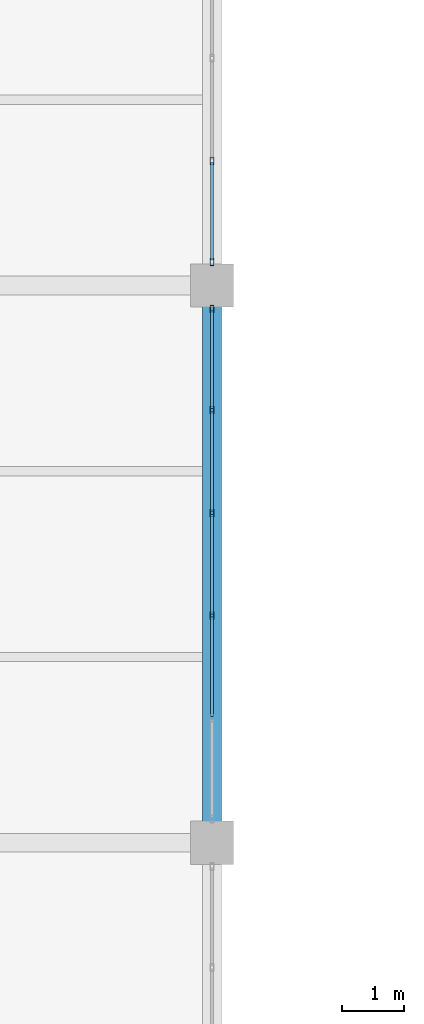
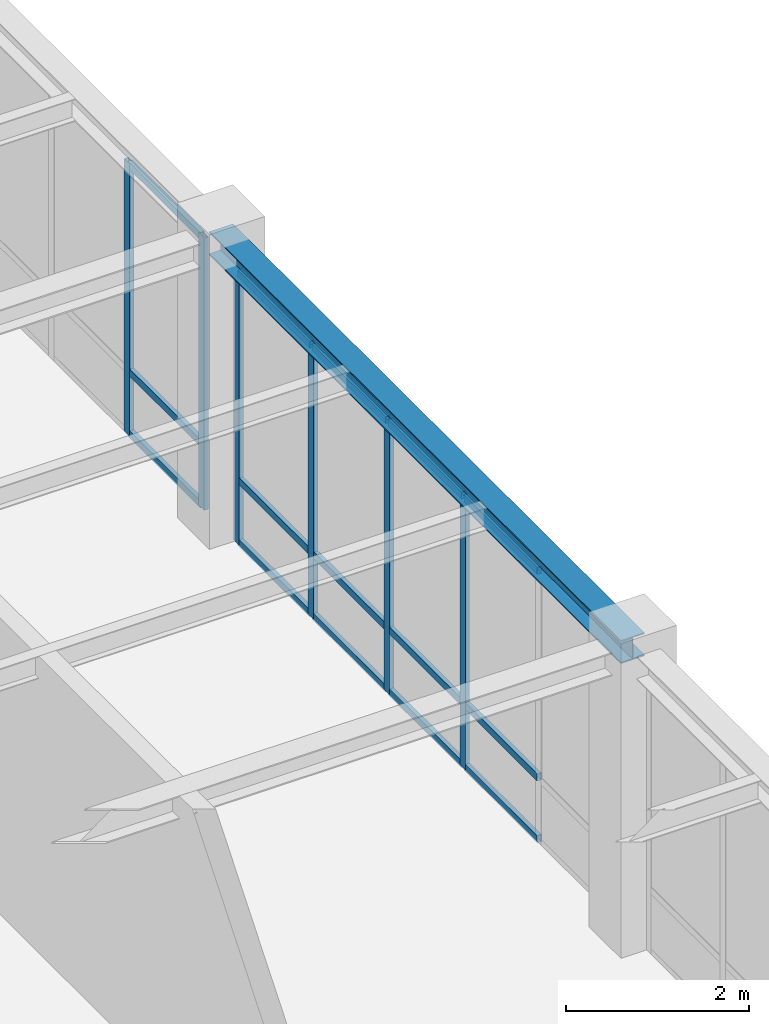
# One storey, part 60 of 108: 21 members, 1 beam, 2 elements without a shape of their own.
"""IFC4 building model written with IfcOpenShell, lengths in metres."""

from ifc_helpers import new_model, si_unit, direction, frame, origin, origin_2d, place, context, subcontext, project, spatial, hollow_rectangle, i_section, extrude, material, material_profile, profile_set, type_object, element, aggregate, save


model = new_model("IFC4")

# Units and contexts
model_context = context("Model", 3, precision=1e-05, world=origin(), true_north=direction((0.0, 1.0)))
body_context = subcontext(model_context, "Body", "Model", "MODEL_VIEW")
ifc_project = project(units=[si_unit("LENGTHUNIT", "METRE"), si_unit("AREAUNIT", "SQUARE_METRE"), si_unit("VOLUMEUNIT", "CUBIC_METRE"), si_unit("PLANEANGLEUNIT", "RADIAN"), si_unit("MASSUNIT", "GRAM", prefix="KILO")], contexts=[model_context])

# Site, building, storey
site_placement = place(None, origin())
site = spatial("IfcSite", under=ifc_project, at=site_placement, CompositionType="ELEMENT")
building_placement = place(site_placement, origin())
building = spatial("IfcBuilding", under=site, at=building_placement, Name="Lykobir Media Centre", CompositionType="ELEMENT")
storey_placement = place(building_placement, frame((0.0, 0.0, 15.0)))
storey = spatial("IfcBuildingStorey", under=building, at=storey_placement, Name="L03", CompositionType="ELEMENT", Elevation=15.0)

# Beam
ifc_material_1 = material(Name="Steel S355", Category="steel")
ifc_material_profile_1 = material_profile(ifc_material_1, i_section(OverallWidth=0.300048828125, OverallDepth=0.31005859375, WebThickness=0.009033203125, FlangeThickness=0.015380859375, at=origin_2d()), Name="HEA 320")
ifc_profile_set_1 = profile_set([ifc_material_profile_1], Name="Steel S355")
beam_type = type_object("IfcBeamType", Name="BM-HEA320", PredefinedType="BEAM", material=ifc_profile_set_1)
beam_placement = place(storey_placement, frame((99.0, 45.0, 3.804931640625), z_axis=(0.0, 1.0, 0.0), x_axis=(-1.0, 0.0, 0.0)))
element("IfcBeam", 1, at=beam_placement, inside=storey, type_object=beam_type, Name="Beam BM-L03-0990-0450-0990-0540-1880", PredefinedType="BEAM", context=body_context, shape_type="SweptSolid", body=[
    extrude(i_section(OverallWidth=0.300048828125, OverallDepth=0.31005859375, WebThickness=0.009033203125, FlangeThickness=0.015380859375, at=origin_2d()), origin(), (0.0, 0.0, 1.0), 9.0),
])

# Curtain wall, members
ifc_material_2 = material(Name="Anodized Aluminium AW-6060", Category="aluminium")
curtain_wall_type = type_object("IfcCurtainWallType", Name="CW-COURT-B", PredefinedType="NOTDEFINED", material=ifc_material_2)
curtain_wall_1_placement = place(storey_placement, origin())
curtain_wall_1 = element("IfcCurtainWall", 2, at=curtain_wall_1_placement, inside=storey, type_object=curtain_wall_type, Name="Curtain wall CW2-L03-0143", PredefinedType="NOTDEFINED")
ifc_material_profile_2 = material_profile(ifc_material_2, hollow_rectangle(XDim=0.054931640625, YDim=0.1201171875, WallThickness=0.003173828125, at=origin_2d()), Name="ALU MULLION 55x120")
ifc_profile_set_2 = profile_set([ifc_material_profile_2], Name="Anodized Aluminium AW-6060")
member_type_1 = type_object("IfcMemberType", Name="CWM-120", PredefinedType="MULLION", material=ifc_profile_set_2)
member_1_placement = place(storey_placement, frame((99.0, 53.617431640625, 0.0), z_axis=(0.0, 0.0, 1.0), x_axis=(1.0, 0.0, 0.0)))
member_1 = element("IfcMember", 3, at=member_1_placement, type_object=member_type_1, Name="CW2-L03-0143 mullion 1", PredefinedType="MULLION", context=body_context, shape_type="SweptSolid", body=[
    extrude(hollow_rectangle(XDim=0.054931640625, YDim=0.1201171875, WallThickness=0.003173828125, at=origin_2d()), origin(), (0.0, 0.0, 1.0), 3.635009765625),
])
member_2_placement = place(storey_placement, frame((99.0, 51.987060546875, 0.0), z_axis=(0.0, 0.0, 1.0), x_axis=(1.0, 0.0, 0.0)))
member_2 = element("IfcMember", 4, at=member_2_placement, type_object=member_type_1, Name="CW2-L03-0143 mullion 2", PredefinedType="MULLION", context=body_context, shape_type="SweptSolid", body=[
    extrude(hollow_rectangle(XDim=0.054931640625, YDim=0.1201171875, WallThickness=0.003173828125, at=origin_2d()), origin(), (0.0, 0.0, 1.0), 3.635009765625),
])
member_3_placement = place(storey_placement, frame((99.0, 50.3291015625, 0.0), z_axis=(0.0, 0.0, 1.0), x_axis=(1.0, 0.0, 0.0)))
member_3 = element("IfcMember", 5, at=member_3_placement, type_object=member_type_1, Name="CW2-L03-0143 mullion 3", PredefinedType="MULLION", context=body_context, shape_type="SweptSolid", body=[
    extrude(hollow_rectangle(XDim=0.054931640625, YDim=0.1201171875, WallThickness=0.003173828125, at=origin_2d()), origin(), (0.0, 0.0, 1.0), 3.635009765625),
])
member_4_placement = place(storey_placement, frame((99.0, 48.6708984375, 0.0), z_axis=(0.0, 0.0, 1.0), x_axis=(1.0, 0.0, 0.0)))
member_4 = element("IfcMember", 6, at=member_4_placement, type_object=member_type_1, Name="CW2-L03-0143 mullion 4", PredefinedType="MULLION", context=body_context, shape_type="SweptSolid", body=[
    extrude(hollow_rectangle(XDim=0.054931640625, YDim=0.1201171875, WallThickness=0.003173828125, at=origin_2d()), origin(), (0.0, 0.0, 1.0), 3.635009765625),
])

curtain_wall_2_placement = place(storey_placement, origin())
curtain_wall_2 = element("IfcCurtainWall", 7, at=curtain_wall_2_placement, inside=storey, type_object=curtain_wall_type, Name="Curtain wall CW2-L03-0144", PredefinedType="NOTDEFINED")
member_5_placement = place(storey_placement, frame((99.0, 56.012939453125, 0.0), z_axis=(0.0, 0.0, 1.0), x_axis=(1.0, 0.0, 0.0)))
member_5 = element("IfcMember", 8, at=member_5_placement, type_object=member_type_1, Name="CW2-L03-0144 mullion 5", PredefinedType="MULLION", context=body_context, shape_type="SweptSolid", body=[
    extrude(hollow_rectangle(XDim=0.054931640625, YDim=0.1201171875, WallThickness=0.003173828125, at=origin_2d()), origin(), (0.0, 0.0, 1.0), 3.635009765625),
])
member_6_placement = place(storey_placement, frame((99.0, 54.382568359375, 0.0), z_axis=(0.0, 0.0, 1.0), x_axis=(1.0, 0.0, 0.0)))
member_6 = element("IfcMember", 9, at=member_6_placement, type_object=member_type_1, Name="CW2-L03-0144 mullion 6", PredefinedType="MULLION", context=body_context, shape_type="SweptSolid", body=[
    extrude(hollow_rectangle(XDim=0.054931640625, YDim=0.1201171875, WallThickness=0.003173828125, at=origin_2d()), origin(), (0.0, 0.0, 1.0), 3.635009765625),
])

# Member
ifc_material_profile_3 = material_profile(ifc_material_2, hollow_rectangle(XDim=0.054931640625, YDim=0.094970703125, WallThickness=0.0029296875, at=origin_2d()), Name="ALU TRANSOM 55x95")
ifc_profile_set_3 = profile_set([ifc_material_profile_3], Name="Anodized Aluminium AW-6060")
member_type_2 = type_object("IfcMemberType", Name="CWT-095", PredefinedType="USERDEFINED", material=ifc_profile_set_3)
member_7_placement = place(storey_placement, frame((99.0, 53.590087890625, 0.027587890625), z_axis=(0.0, -1.0, 0.0), x_axis=(1.0, 0.0, 0.0)))
member_7 = element("IfcMember", 10, at=member_7_placement, type_object=member_type_2, Name="CW2-L03-0143 transom 1.1", ObjectType="TRANSOM", PredefinedType="USERDEFINED", context=body_context, shape_type="SweptSolid", body=[
    extrude(hollow_rectangle(XDim=0.054931640625, YDim=0.094970703125, WallThickness=0.0029296875, at=origin_2d()), origin(), (0.0, 0.0, 1.0), 1.57568359375),
])

member_8_placement = place(storey_placement, frame((99.0, 53.590087890625, 0.85009765625), z_axis=(0.0, -1.0, 0.0), x_axis=(1.0, 0.0, 0.0)))
member_8 = element("IfcMember", 11, at=member_8_placement, type_object=member_type_2, Name="CW2-L03-0143 transom 1.2", ObjectType="TRANSOM", PredefinedType="USERDEFINED", context=body_context, shape_type="SweptSolid", body=[
    extrude(hollow_rectangle(XDim=0.054931640625, YDim=0.094970703125, WallThickness=0.0029296875, at=origin_2d()), origin(), (0.0, 0.0, 1.0), 1.57568359375),
])

member_9_placement = place(storey_placement, frame((99.0, 53.590087890625, 3.607421875), z_axis=(0.0, -1.0, 0.0), x_axis=(1.0, 0.0, 0.0)))
member_9 = element("IfcMember", 12, at=member_9_placement, type_object=member_type_2, Name="CW2-L03-0143 transom 1.3", ObjectType="TRANSOM", PredefinedType="USERDEFINED", context=body_context, shape_type="SweptSolid", body=[
    extrude(hollow_rectangle(XDim=0.054931640625, YDim=0.094970703125, WallThickness=0.0029296875, at=origin_2d()), origin(), (0.0, 0.0, 1.0), 1.57568359375),
])

member_10_placement = place(storey_placement, frame((99.0, 51.95947265625, 0.027587890625), z_axis=(0.0, -1.0, 0.0), x_axis=(1.0, 0.0, 0.0)))
member_10 = element("IfcMember", 13, at=member_10_placement, type_object=member_type_2, Name="CW2-L03-0143 transom 2.1", ObjectType="TRANSOM", PredefinedType="USERDEFINED", context=body_context, shape_type="SweptSolid", body=[
    extrude(hollow_rectangle(XDim=0.054931640625, YDim=0.094970703125, WallThickness=0.0029296875, at=origin_2d()), origin(), (0.0, 0.0, 1.0), 1.60302734375),
])

member_11_placement = place(storey_placement, frame((99.0, 51.95947265625, 0.85009765625), z_axis=(0.0, -1.0, 0.0), x_axis=(1.0, 0.0, 0.0)))
member_11 = element("IfcMember", 14, at=member_11_placement, type_object=member_type_2, Name="CW2-L03-0143 transom 2.2", ObjectType="TRANSOM", PredefinedType="USERDEFINED", context=body_context, shape_type="SweptSolid", body=[
    extrude(hollow_rectangle(XDim=0.054931640625, YDim=0.094970703125, WallThickness=0.0029296875, at=origin_2d()), origin(), (0.0, 0.0, 1.0), 1.60302734375),
])

member_12_placement = place(storey_placement, frame((99.0, 51.95947265625, 3.607421875), z_axis=(0.0, -1.0, 0.0), x_axis=(1.0, 0.0, 0.0)))
member_12 = element("IfcMember", 15, at=member_12_placement, type_object=member_type_2, Name="CW2-L03-0143 transom 2.3", ObjectType="TRANSOM", PredefinedType="USERDEFINED", context=body_context, shape_type="SweptSolid", body=[
    extrude(hollow_rectangle(XDim=0.054931640625, YDim=0.094970703125, WallThickness=0.0029296875, at=origin_2d()), origin(), (0.0, 0.0, 1.0), 1.60302734375),
])

member_13_placement = place(storey_placement, frame((99.0, 50.301513671875, 0.027587890625), z_axis=(0.0, -1.0, 0.0), x_axis=(1.0, 0.0, 0.0)))
member_13 = element("IfcMember", 16, at=member_13_placement, type_object=member_type_2, Name="CW2-L03-0143 transom 3.1", ObjectType="TRANSOM", PredefinedType="USERDEFINED", context=body_context, shape_type="SweptSolid", body=[
    extrude(hollow_rectangle(XDim=0.054931640625, YDim=0.094970703125, WallThickness=0.0029296875, at=origin_2d()), origin(), (0.0, 0.0, 1.0), 1.60302734375),
])

member_14_placement = place(storey_placement, frame((99.0, 50.301513671875, 0.85009765625), z_axis=(0.0, -1.0, 0.0), x_axis=(1.0, 0.0, 0.0)))
member_14 = element("IfcMember", 17, at=member_14_placement, type_object=member_type_2, Name="CW2-L03-0143 transom 3.2", ObjectType="TRANSOM", PredefinedType="USERDEFINED", context=body_context, shape_type="SweptSolid", body=[
    extrude(hollow_rectangle(XDim=0.054931640625, YDim=0.094970703125, WallThickness=0.0029296875, at=origin_2d()), origin(), (0.0, 0.0, 1.0), 1.60302734375),
])

member_15_placement = place(storey_placement, frame((99.0, 50.301513671875, 3.607421875), z_axis=(0.0, -1.0, 0.0), x_axis=(1.0, 0.0, 0.0)))
member_15 = element("IfcMember", 18, at=member_15_placement, type_object=member_type_2, Name="CW2-L03-0143 transom 3.3", ObjectType="TRANSOM", PredefinedType="USERDEFINED", context=body_context, shape_type="SweptSolid", body=[
    extrude(hollow_rectangle(XDim=0.054931640625, YDim=0.094970703125, WallThickness=0.0029296875, at=origin_2d()), origin(), (0.0, 0.0, 1.0), 1.60302734375),
])

member_16_placement = place(storey_placement, frame((99.0, 48.6435546875, 0.027587890625), z_axis=(0.0, -1.0, 0.0), x_axis=(1.0, 0.0, 0.0)))
member_16 = element("IfcMember", 19, at=member_16_placement, type_object=member_type_2, Name="CW2-L03-0143 transom 4.1", ObjectType="TRANSOM", PredefinedType="USERDEFINED", context=body_context, shape_type="SweptSolid", body=[
    extrude(hollow_rectangle(XDim=0.054931640625, YDim=0.094970703125, WallThickness=0.0029296875, at=origin_2d()), origin(), (0.0, 0.0, 1.0), 1.60302734375),
])

member_17_placement = place(storey_placement, frame((99.0, 48.6435546875, 0.85009765625), z_axis=(0.0, -1.0, 0.0), x_axis=(1.0, 0.0, 0.0)))
member_17 = element("IfcMember", 20, at=member_17_placement, type_object=member_type_2, Name="CW2-L03-0143 transom 4.2", ObjectType="TRANSOM", PredefinedType="USERDEFINED", context=body_context, shape_type="SweptSolid", body=[
    extrude(hollow_rectangle(XDim=0.054931640625, YDim=0.094970703125, WallThickness=0.0029296875, at=origin_2d()), origin(), (0.0, 0.0, 1.0), 1.60302734375),
])

member_18_placement = place(storey_placement, frame((99.0, 48.6435546875, 3.607421875), z_axis=(0.0, -1.0, 0.0), x_axis=(1.0, 0.0, 0.0)))
member_18 = element("IfcMember", 21, at=member_18_placement, type_object=member_type_2, Name="CW2-L03-0143 transom 4.3", ObjectType="TRANSOM", PredefinedType="USERDEFINED", context=body_context, shape_type="SweptSolid", body=[
    extrude(hollow_rectangle(XDim=0.054931640625, YDim=0.094970703125, WallThickness=0.0029296875, at=origin_2d()), origin(), (0.0, 0.0, 1.0), 1.60302734375),
])

aggregate(curtain_wall_1, [member_1, member_2, member_3, member_4, member_7, member_8, member_9, member_10, member_11, member_12, member_13, member_14, member_15, member_16, member_17, member_18])

member_19_placement = place(storey_placement, frame((99.0, 55.985595703125, 0.027587890625), z_axis=(0.0, -1.0, 0.0), x_axis=(1.0, 0.0, 0.0)))
member_19 = element("IfcMember", 22, at=member_19_placement, type_object=member_type_2, Name="CW2-L03-0144 transom 5.1", ObjectType="TRANSOM", PredefinedType="USERDEFINED", context=body_context, shape_type="SweptSolid", body=[
    extrude(hollow_rectangle(XDim=0.054931640625, YDim=0.094970703125, WallThickness=0.0029296875, at=origin_2d()), origin(), (0.0, 0.0, 1.0), 1.57568359375),
])

member_20_placement = place(storey_placement, frame((99.0, 55.985595703125, 0.85009765625), z_axis=(0.0, -1.0, 0.0), x_axis=(1.0, 0.0, 0.0)))
member_20 = element("IfcMember", 23, at=member_20_placement, type_object=member_type_2, Name="CW2-L03-0144 transom 5.2", ObjectType="TRANSOM", PredefinedType="USERDEFINED", context=body_context, shape_type="SweptSolid", body=[
    extrude(hollow_rectangle(XDim=0.054931640625, YDim=0.094970703125, WallThickness=0.0029296875, at=origin_2d()), origin(), (0.0, 0.0, 1.0), 1.57568359375),
])

member_21_placement = place(storey_placement, frame((99.0, 55.985595703125, 3.607421875), z_axis=(0.0, -1.0, 0.0), x_axis=(1.0, 0.0, 0.0)))
member_21 = element("IfcMember", 24, at=member_21_placement, type_object=member_type_2, Name="CW2-L03-0144 transom 5.3", ObjectType="TRANSOM", PredefinedType="USERDEFINED", context=body_context, shape_type="SweptSolid", body=[
    extrude(hollow_rectangle(XDim=0.054931640625, YDim=0.094970703125, WallThickness=0.0029296875, at=origin_2d()), origin(), (0.0, 0.0, 1.0), 1.57568359375),
])

aggregate(curtain_wall_2, [member_5, member_6, member_19, member_20, member_21])

save(model, "model.ifc")
